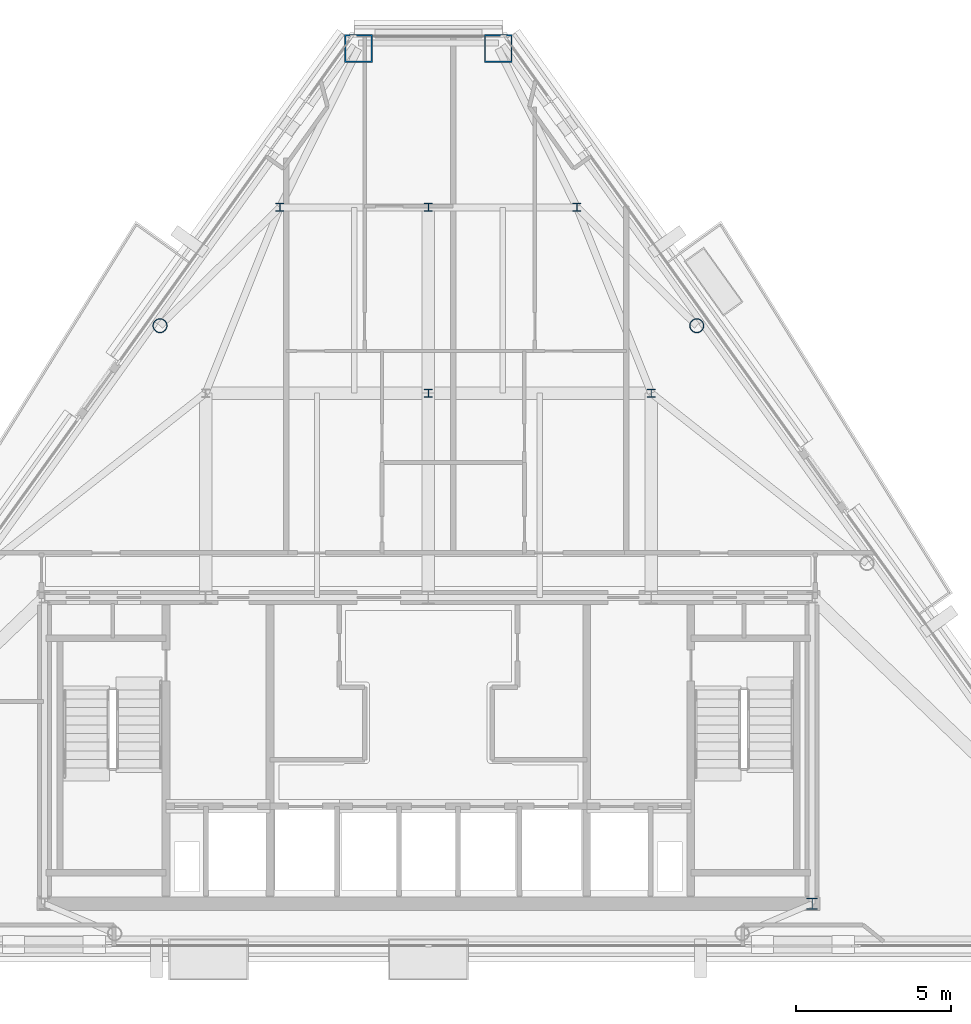
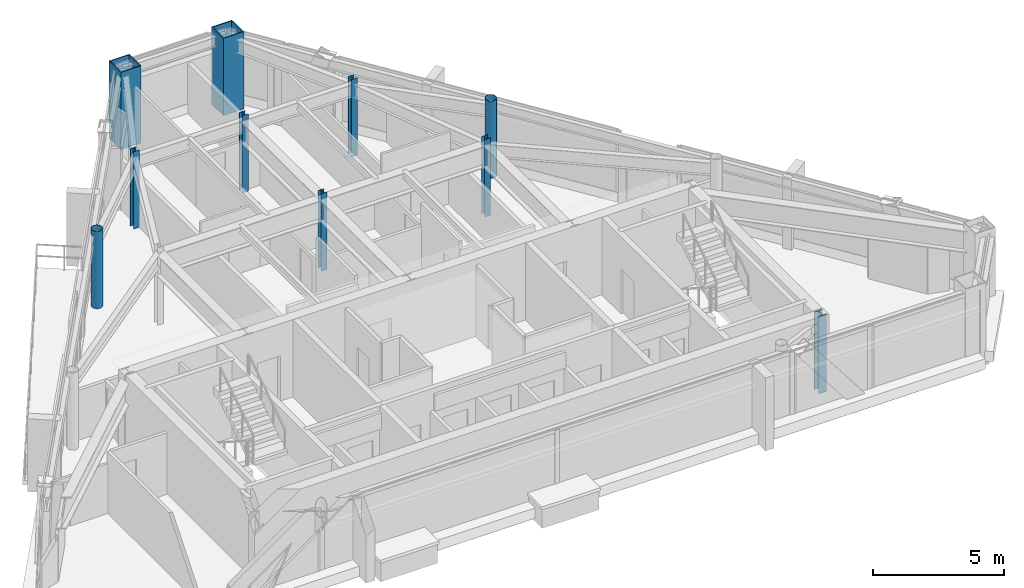
# One storey, part 2 of 12: 10 columns.
"""IFC4 building model written with IfcOpenShell, lengths in metres."""

from ifc_helpers import new_model, si_unit, direction, frame, origin, origin_2d, place, context, subcontext, project, spatial, hollow_rectangle, hollow_circle, i_section, extrude, material, material_profile, profile_set, type_object, element, save


model = new_model("IFC4")

# Units and contexts
model_context = context("Model", 3, precision=1e-05, world=origin(), true_north=direction((0.0, 1.0)))
body_context = subcontext(model_context, "Body", "Model", "MODEL_VIEW")
ifc_project = project(units=[si_unit("LENGTHUNIT", "METRE"), si_unit("AREAUNIT", "SQUARE_METRE"), si_unit("VOLUMEUNIT", "CUBIC_METRE"), si_unit("PLANEANGLEUNIT", "RADIAN"), si_unit("MASSUNIT", "GRAM", prefix="KILO")], contexts=[model_context])

# Site, building, storey
site_placement = place(None, origin())
site = spatial("IfcSite", under=ifc_project, at=site_placement, CompositionType="ELEMENT")
building_placement = place(site_placement, origin())
building = spatial("IfcBuilding", under=site, at=building_placement, Name="Talgorran Terracotta Tower", CompositionType="ELEMENT")
storey_placement = place(building_placement, frame((0.0, 0.0, 249.0)))
storey = spatial("IfcBuildingStorey", under=building, at=storey_placement, Name="L65", CompositionType="ELEMENT", Elevation=249.0)

# Columns
ifc_material_1 = material(Name="Steel S355 (300PLUS)", Category="steel")
ifc_material_profile_1 = material_profile(ifc_material_1, i_section(OverallWidth=0.256103515625, OverallDepth=0.260009765625, WebThickness=0.010498046875, FlangeThickness=0.017333984375, at=origin_2d()), Name="250UC89.5")
ifc_profile_set_1 = profile_set([ifc_material_profile_1], Name="Steel S355 (300PLUS)")
column_type_1 = type_object("IfcColumnType", Name="COL_250UC89", PredefinedType="COLUMN", material=ifc_profile_set_1)
for number, where, z_axis, x_axis, name in (
    (1, (0.0, 2.39990234375, 0.0), (0.0, 0.0, 1.0), (1.0, 0.0, 0.0), "L65 Interior Gravity Column IC2"),
    (2, (7.199951171875, 2.39990234375, 0.0), (0.0, 0.0, 1.0), (1.0, 0.0, 0.0), "L65 Interior Gravity Column IC3"),
    (3, (-4.800048828125, 8.39990234375, 0.0), (0.0, 0.0, 1.0), (1.0, 0.0, 0.0), "L65 Interior Gravity Column IC4"),
    (4, (0.0, 8.39990234375, 0.0), (0.0, 0.0, 1.0), (1.0, 0.0, 0.0), "L65 Interior Gravity Column IC5"),
    (5, (4.800048828125, 8.39990234375, 0.0), (0.0, 0.0, 1.0), (1.0, 0.0, 0.0), "L65 Interior Gravity Column IC6"),
):
    element("IfcColumn", number, at=place(storey_placement, frame(where, z_axis=z_axis, x_axis=x_axis)), inside=storey, type_object=column_type_1, Name=name, PredefinedType="COLUMN", context=body_context, shape_type="SweptSolid", body=[
        extrude(i_section(OverallWidth=0.256103515625, OverallDepth=0.260009765625, WebThickness=0.010498046875, FlangeThickness=0.017333984375, at=origin_2d()), origin(), (0.0, 0.0, 1.0), 3.60009765625),
    ])
ifc_material_profile_2 = material_profile(ifc_material_1, i_section(OverallWidth=0.35205078125, OverallDepth=0.35888671875, WebThickness=0.01806640625, FlangeThickness=0.02587890625, at=origin_2d()), Name="350WC197")
ifc_profile_set_2 = profile_set([ifc_material_profile_2], Name="Steel S355 (300PLUS)")
column_type_2 = type_object("IfcColumnType", Name="COL_350WC197", PredefinedType="COLUMN", material=ifc_profile_set_2)
column_placement = place(storey_placement, frame((12.39990234375, -14.10009765625, 0.0), z_axis=(0.0, 0.0, 1.0), x_axis=(1.0, 0.0, 0.0)))
element("IfcColumn", 6, at=column_placement, inside=storey, type_object=column_type_2, Name="L65 Core Boundary Column CC2", PredefinedType="COLUMN", context=body_context, shape_type="SweptSolid", body=[
    extrude(i_section(OverallWidth=0.35205078125, OverallDepth=0.35888671875, WebThickness=0.01806640625, FlangeThickness=0.02587890625, at=origin_2d()), origin(), (0.0, 0.0, 1.0), 3.60009765625),
])
ifc_material_2 = material(Name="Steel Grade 350 (350L0)", Category="steel")
ifc_material_profile_3 = material_profile(ifc_material_2, hollow_rectangle(XDim=0.89990234375, YDim=0.89990234375, WallThickness=0.0400390625, at=origin_2d()), Name="CFT900X900X40")
ifc_profile_set_3 = profile_set([ifc_material_profile_3], Name="Steel Grade 350 (350L0)")
column_type_3 = type_object("IfcColumnType", Name="COL_CFT_900", PredefinedType="COLUMN", material=ifc_profile_set_3)
for number, where, z_axis, x_axis, name in (
    (7, (2.258056640625, 13.53662109375, 0.0), (0.0, 0.0, 1.0), (1.0, 0.0, 0.0), "L65 Corner CFT Mega-Column MC5"),
    (8, (-2.258056640625, 13.53662109375, 0.0), (0.0, 0.0, 1.0), (1.0, 0.0, 0.0), "L65 Corner CFT Mega-Column MC6"),
):
    element("IfcColumn", number, at=place(storey_placement, frame(where, z_axis=z_axis, x_axis=x_axis)), inside=storey, type_object=column_type_3, Name=name, PredefinedType="COLUMN", context=body_context, shape_type="SweptSolid", body=[
        extrude(hollow_rectangle(XDim=0.89990234375, YDim=0.89990234375, WallThickness=0.0400390625, at=origin_2d()), origin(), (0.0, 0.0, 1.0), 3.60009765625),
    ])
ifc_material_3 = material(Name="Steel S350 (C350L0)", Category="steel")
ifc_material_profile_4 = material_profile(ifc_material_3, hollow_circle(Radius=0.228515625, WallThickness=0.01611328125, at=origin_2d()), Name="CHS457X16")
ifc_profile_set_4 = profile_set([ifc_material_profile_4], Name="Steel S350 (C350L0)")
column_type_4 = type_object("IfcColumnType", Name="COL_CHS_457", PredefinedType="COLUMN", material=ifc_profile_set_4)
for number, where, z_axis, x_axis, name in (
    (9, (8.672607421875, 4.5791015625, 0.0), (0.0, 0.0, 1.0), (1.0, 0.0, 0.0), "L65 Facet Perimeter Column FC4"),
    (10, (-8.672607421875, 4.5791015625, 0.0), (0.0, 0.0, 1.0), (1.0, 0.0, 0.0), "L65 Facet Perimeter Column FC5"),
):
    element("IfcColumn", number, at=place(storey_placement, frame(where, z_axis=z_axis, x_axis=x_axis)), inside=storey, type_object=column_type_4, Name=name, PredefinedType="COLUMN", context=body_context, shape_type="SweptSolid", body=[
        extrude(hollow_circle(Radius=0.228515625, WallThickness=0.01611328125, at=origin_2d()), origin(), (0.0, 0.0, 1.0), 3.60009765625),
    ])

save(model, "model.ifc")
